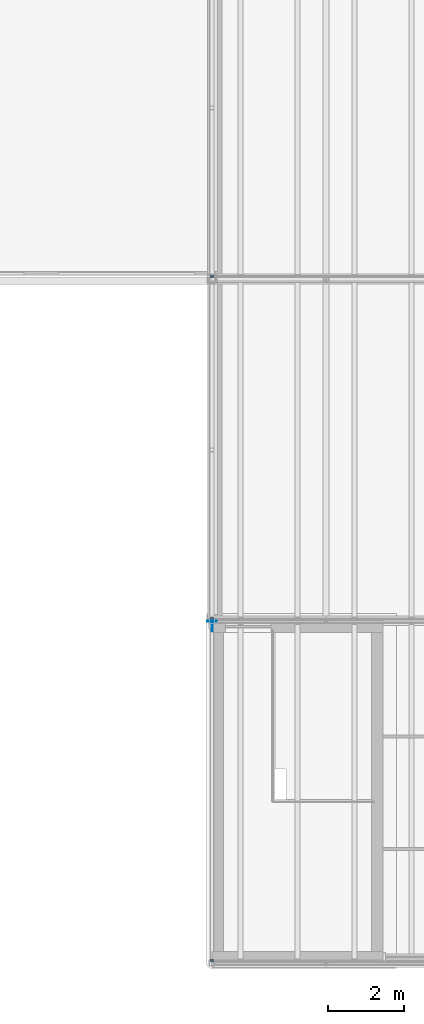
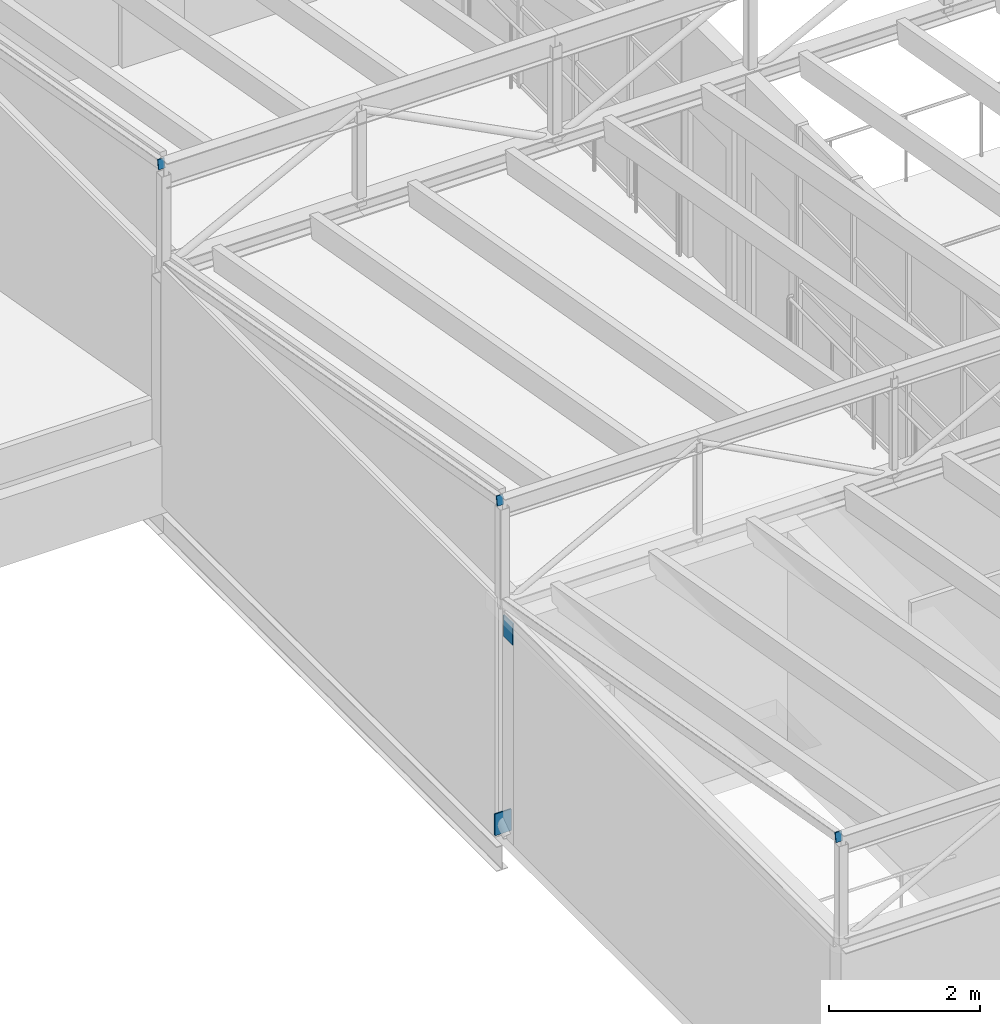
# One storey, part 37 of 44: 5 discrete accessories.
"""IFC4 building model written with IfcOpenShell, lengths in metres."""

from ifc_helpers import new_model, si_unit, direction, frame, origin, origin_2d, place, context, subcontext, project, spatial, rectangle, extrude, element, save


model = new_model("IFC4")

# Units and contexts
model_context = context("Model", 3, precision=1e-05, world=origin(), true_north=direction((0.0, 1.0)))
body_context = subcontext(model_context, "Body", "Model", "MODEL_VIEW")
ifc_project = project(units=[si_unit("LENGTHUNIT", "METRE"), si_unit("AREAUNIT", "SQUARE_METRE"), si_unit("VOLUMEUNIT", "CUBIC_METRE"), si_unit("PLANEANGLEUNIT", "RADIAN"), si_unit("MASSUNIT", "GRAM", prefix="KILO")], contexts=[model_context])

# Site, building, storey
site_placement = place(None, origin())
site = spatial("IfcSite", under=ifc_project, at=site_placement, CompositionType="ELEMENT")
building_placement = place(site_placement, origin())
building = spatial("IfcBuilding", under=site, at=building_placement, Name="Halyard Row Museum", CompositionType="ELEMENT")
storey_placement = place(building_placement, frame((0.0, 0.0, 21.199951171875)))
storey = spatial("IfcBuildingStorey", under=building, at=storey_placement, Name="L04", CompositionType="ELEMENT", Elevation=21.199951171875)

# Discrete accessories
for number, where, z_axis, x_axis, name in (
    (1, (72.0, 0.074951171875, 5.390625), (0.0, -0.985030467156, 0.172380331752), (1.0, 0.0, 0.0), "V2-GW1 raking rafter end plate"),
    (2, (72.0, 9.074951171875, 5.390625), (0.0, -0.985030467156, 0.172380331752), (1.0, 0.0, 0.0), "V2-GW2 raking rafter end plate"),
    (3, (72.0, 18.074951171875, 5.390625), (0.0, -0.985030467156, 0.172380331752), (1.0, 0.0, 0.0), "V2-GW3 raking rafter end plate"),
):
    element("IfcDiscreteAccessory", number, at=place(storey_placement, frame(where, z_axis=z_axis, x_axis=x_axis)), inside=storey, Name=name, PredefinedType="BRACKET", context=body_context, shape_type="SweptSolid", body=[
        extrude(rectangle(XDim=0.10009765625, YDim=0.14990234375, at=origin_2d()), origin(), (0.0, 0.0, 1.0), 0.019775390625),
    ])
for number, where, z_axis, x_axis, name in (
    (4, (72.0, 9.0, 0.215087890625), (0.0, -1.0, 0.0), (1.0, 0.0, 0.0), "Brace L04 X72 9-18 A cast-in plate"),
    (5, (72.0, 8.85009765625, 3.4130859375), (1.0, 0.0, 0.0), (0.0, 1.0, 0.0), "V2-GW1 raking rafter cast-in plate"),
):
    element("IfcDiscreteAccessory", number, at=place(storey_placement, frame(where, z_axis=z_axis, x_axis=x_axis)), inside=storey, Name=name, PredefinedType="ANCHORPLATE", context=body_context, shape_type="SweptSolid", body=[
        extrude(rectangle(XDim=0.25, YDim=0.35009765625, at=origin_2d()), origin(), (0.0, 0.0, 1.0), 0.02001953125),
    ])

save(model, "model.ifc")
